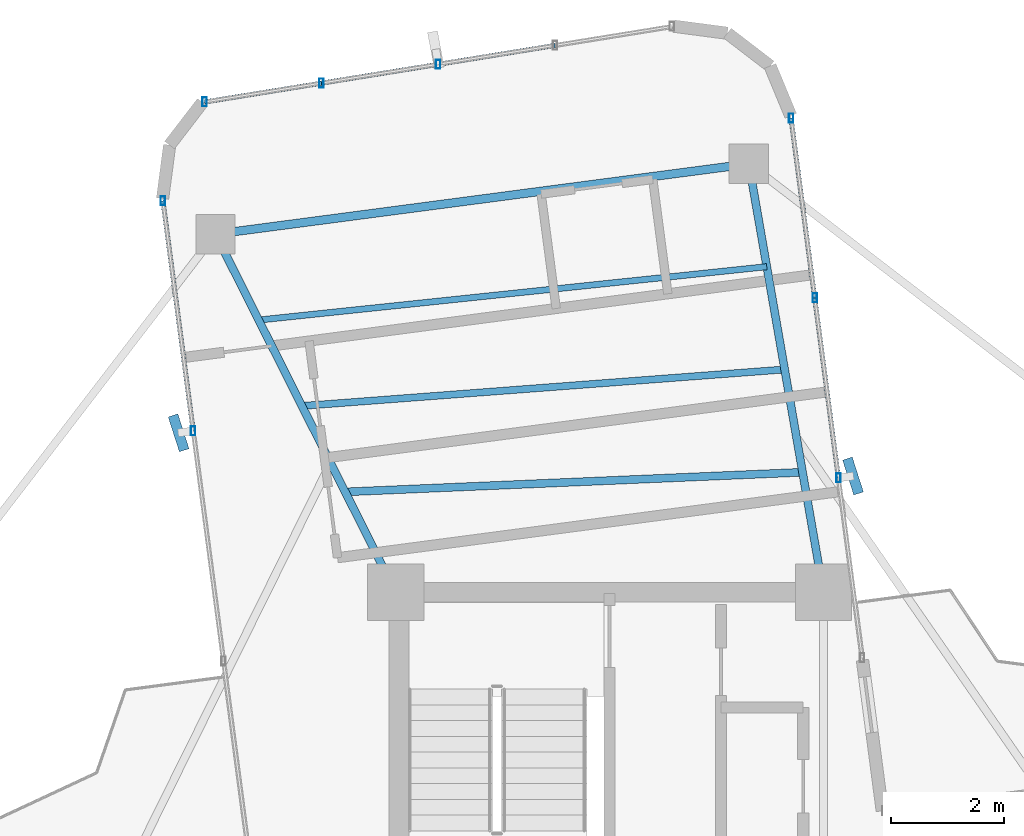
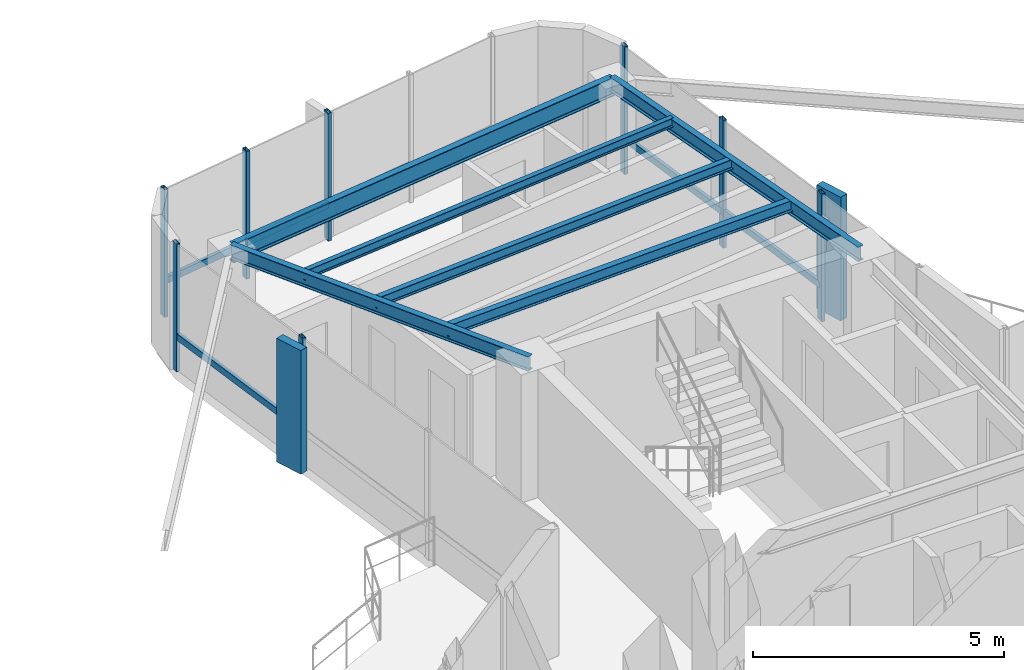
# One storey, part 14 of 22: 16 members, 6 beams, 3 elements without a shape of their own.
"""IFC4 building model written with IfcOpenShell, lengths in metres."""

from ifc_helpers import new_model, si_unit, direction, frame, origin, origin_2d, place, context, subcontext, project, spatial, rectangle, hollow_rectangle, i_section, extrude, source, transform, mapped, material, material_profile, profile_set, type_object, element, aggregate, save


model = new_model("IFC4")

# Units and contexts
model_context = context("Model", 3, precision=1e-05, world=origin(), true_north=direction((0.0, 1.0)))
body_context = subcontext(model_context, "Body", "Model", "MODEL_VIEW")
ifc_project = project(units=[si_unit("LENGTHUNIT", "METRE"), si_unit("AREAUNIT", "SQUARE_METRE"), si_unit("VOLUMEUNIT", "CUBIC_METRE"), si_unit("PLANEANGLEUNIT", "RADIAN"), si_unit("MASSUNIT", "GRAM", prefix="KILO")], contexts=[model_context])

# Site, building, storey
site_placement = place(None, origin())
site = spatial("IfcSite", under=ifc_project, at=site_placement, CompositionType="ELEMENT")
building_placement = place(site_placement, origin())
building = spatial("IfcBuilding", under=site, at=building_placement, Name="Sahyath Konkavel Grand Hotel", CompositionType="ELEMENT")
storey_placement = place(building_placement, frame((0.0, 0.0, 234.449951171875)))
storey = spatial("IfcBuildingStorey", under=building, at=storey_placement, Name="L65", CompositionType="ELEMENT", Elevation=234.449951171875)

# Beams
ifc_material_1 = material(Name="Steel E350", Category="steel")
ifc_material_profile_1 = material_profile(ifc_material_1, i_section(OverallWidth=0.139892578125, OverallDepth=0.35009765625, WebThickness=0.008056640625, FlangeThickness=0.01416015625, FilletRadius=0.013916015625, at=origin_2d()), Name="ISMB 350")
ifc_profile_set_1 = profile_set([ifc_material_profile_1], Name="Steel E350")
beam_type_1 = type_object("IfcBeamType", Name="BM-ISMB350", PredefinedType="BEAM", material=ifc_profile_set_1)
shared_shape_1 = source(origin(), body_context, "Body", "SweptSolid", [
    extrude(i_section(OverallWidth=0.139892578125, OverallDepth=0.35009765625, WebThickness=0.008056640625, FlangeThickness=0.01416015625, FilletRadius=0.013916015625, at=origin_2d()), origin(), (0.0, 0.0, 1.0), 7.72314453125),
])
beam_1_placement = place(storey_placement, frame((3.800048828125, 10.199951171875, 2.93505859375), z_axis=(-0.171494591926, 0.985185061265, 0.0), x_axis=(-0.985185061265, -0.171494591926, 0.0)))
element("IfcBeam", 1, at=beam_1_placement, inside=storey, type_object=beam_type_1, Name="L65 Cruciform Radial Girder NA", PredefinedType="BEAM", context=body_context, shape_type="MappedRepresentation", body=[
    mapped(shared_shape_1, transform((0.0, 0.0, 0.0), scale=1.0)),
])
shared_shape_2 = source(origin(), body_context, "Body", "SweptSolid", [
    extrude(i_section(OverallWidth=0.139892578125, OverallDepth=0.35009765625, WebThickness=0.008056640625, FlangeThickness=0.01416015625, FilletRadius=0.013916015625, at=origin_2d()), origin(), (0.0, 0.0, 1.0), 7.12060546875),
])
beam_2_placement = place(storey_placement, frame((-3.800048828125, 10.199951171875, 2.93505859375), z_axis=(-0.449461374128, 0.893299766689, 0.0), x_axis=(-0.893299766689, -0.449461374128, 0.0)))
element("IfcBeam", 2, at=beam_2_placement, inside=storey, type_object=beam_type_1, Name="L65 Cruciform Radial Girder NB", PredefinedType="BEAM", context=body_context, shape_type="MappedRepresentation", body=[
    mapped(shared_shape_2, transform((0.0, 0.0, 0.0), scale=1.0)),
])
ifc_material_profile_2 = material_profile(ifc_material_1, i_section(OverallWidth=0.14990234375, OverallDepth=0.449951171875, WebThickness=0.009521484375, FlangeThickness=0.017333984375, FilletRadius=0.014892578125, at=origin_2d()), Name="ISMB 450")
ifc_profile_set_2 = profile_set([ifc_material_profile_2], Name="Steel E350")
beam_type_2 = type_object("IfcBeamType", Name="BM-ISMB450", PredefinedType="BEAM", material=ifc_profile_set_2)
shared_shape_3 = source(origin(), body_context, "Body", "SweptSolid", [
    extrude(i_section(OverallWidth=0.14990234375, OverallDepth=0.449951171875, WebThickness=0.009521484375, FlangeThickness=0.017333984375, FilletRadius=0.014892578125, at=origin_2d()), origin(), (0.0, 0.0, 1.0), 9.557861328125),
])
beam_3_placement = place(storey_placement, frame((2.4755859375, 17.80859375, 2.885009765625), z_axis=(-0.991441423385, -0.130552303677, 0.0), x_axis=(0.130552303677, -0.991441423385, 0.0)))
element("IfcBeam", 3, at=beam_3_placement, inside=storey, type_object=beam_type_2, Name="L65 Wing Tip Edge Beam N", PredefinedType="BEAM", context=body_context, shape_type="MappedRepresentation", body=[
    mapped(shared_shape_3, transform((0.0, 0.0, 0.0), scale=1.0)),
])
ifc_material_profile_3 = material_profile(ifc_material_1, i_section(OverallWidth=0.139892578125, OverallDepth=0.27490234375, WebThickness=0.00634765625, FlangeThickness=0.0087890625, FilletRadius=0.012939453125, at=origin_2d()), Name="ISLB 275")
ifc_profile_set_3 = profile_set([ifc_material_profile_3], Name="Steel E350")
beam_type_3 = type_object("IfcBeamType", Name="BM-ISLB275", PredefinedType="BEAM", material=ifc_profile_set_3)
shared_shape_4 = source(origin(), body_context, "Body", "SweptSolid", [
    extrude(i_section(OverallWidth=0.139892578125, OverallDepth=0.27490234375, WebThickness=0.00634765625, FlangeThickness=0.0087890625, FilletRadius=0.012939453125, at=origin_2d()), origin(), (0.0, 0.0, 1.0), 8.1328125),
])
beam_4_placement = place(storey_placement, frame((3.42919921875, 12.330322265625, 2.97265625), z_axis=(-0.999078174948, -0.04292785043, 0.0), x_axis=(0.04292785043, -0.999078174948, 0.0)))
element("IfcBeam", 4, at=beam_4_placement, inside=storey, type_object=beam_type_3, Name="L65 Secondary Floor Beam N-1", PredefinedType="BEAM", context=body_context, shape_type="MappedRepresentation", body=[
    mapped(shared_shape_4, transform((0.0, 0.0, 0.0), scale=1.0)),
])
ifc_material_profile_4 = material_profile(ifc_material_1, i_section(OverallWidth=0.125, OverallDepth=0.25, WebThickness=0.0068359375, FlangeThickness=0.012451171875, FilletRadius=0.012939453125, at=origin_2d()), Name="ISMB 250")
ifc_profile_set_4 = profile_set([ifc_material_profile_4], Name="Steel E350")
beam_type_4 = type_object("IfcBeamType", Name="BM-ISMB250", PredefinedType="BEAM", material=ifc_profile_set_4)
shared_shape_5 = source(origin(), body_context, "Body", "SweptSolid", [
    extrude(i_section(OverallWidth=0.125, OverallDepth=0.25, WebThickness=0.0068359375, FlangeThickness=0.012451171875, FilletRadius=0.012939453125, at=origin_2d()), origin(), (0.0, 0.0, 1.0), 8.60009765625),
])
beam_5_placement = place(storey_placement, frame((3.111328125, 14.156494140625, 2.985107421875), z_axis=(-0.997151364324, -0.075426498178, 0.0), x_axis=(0.075426498178, -0.997151364324, 0.0)))
element("IfcBeam", 5, at=beam_5_placement, inside=storey, type_object=beam_type_4, Name="L65 Secondary Floor Beam N-2", PredefinedType="BEAM", context=body_context, shape_type="MappedRepresentation", body=[
    mapped(shared_shape_5, transform((0.0, 0.0, 0.0), scale=1.0)),
])
ifc_material_profile_5 = material_profile(ifc_material_1, i_section(OverallWidth=0.110107421875, OverallDepth=0.22509765625, WebThickness=0.006591796875, FlangeThickness=0.01171875, FilletRadius=0.011962890625, at=origin_2d()), Name="ISMB 225")
ifc_profile_set_5 = profile_set([ifc_material_profile_5], Name="Steel E350")
beam_type_5 = type_object("IfcBeamType", Name="BM-ISMB225", PredefinedType="BEAM", material=ifc_profile_set_5)
shared_shape_6 = source(origin(), body_context, "Body", "SweptSolid", [
    extrude(i_section(OverallWidth=0.110107421875, OverallDepth=0.22509765625, WebThickness=0.006591796875, FlangeThickness=0.01171875, FilletRadius=0.011962890625, at=origin_2d()), origin(), (0.0, 0.0, 1.0), 9.075439453125),
])
beam_6_placement = place(storey_placement, frame((2.79345703125, 15.982421875, 2.99755859375), z_axis=(-0.994526658402, -0.10448313609, 0.0), x_axis=(0.10448313609, -0.994526658402, 0.0)))
element("IfcBeam", 6, at=beam_6_placement, inside=storey, type_object=beam_type_5, Name="L65 Secondary Floor Beam N-3", PredefinedType="BEAM", context=body_context, shape_type="MappedRepresentation", body=[
    mapped(shared_shape_6, transform((0.0, 0.0, 0.0), scale=1.0)),
])

# Curtain wall, member
ifc_material_2 = material(Name="Anodised Bronze Aluminium & Low-E Glazing", Category="aluminium")
curtain_wall_type = type_object("IfcCurtainWallType", Name="CW-ZONE4", PredefinedType="NOTDEFINED", material=ifc_material_2)
curtain_wall_1_placement = place(storey_placement, origin())
curtain_wall_1 = element("IfcCurtainWall", 7, at=curtain_wall_1_placement, inside=storey, type_object=curtain_wall_type, Name="L65 Unitised Curtain Wall F8", PredefinedType="NOTDEFINED")
ifc_material_3 = material(Name="Warm Buff Sandstone Cladding on Concrete C50/60", Category="masonry")
ifc_material_profile_6 = material_profile(ifc_material_3, rectangle(XDim=0.179931640625, YDim=0.64990234375, at=origin_2d()), Name="FIN 180x650")
ifc_profile_set_6 = profile_set([ifc_material_profile_6], Name="Warm Buff Sandstone Cladding on Concrete C50/60")
member_type_1 = type_object("IfcMemberType", Name="FIN-SANDSTONE-650", PredefinedType="MULLION", material=ifc_profile_set_6)
shared_shape_7 = source(origin(), body_context, "Body", "SweptSolid", [
    extrude(rectangle(XDim=0.179931640625, YDim=0.64990234375, at=origin_2d()), origin(), (0.0, 0.0, 1.0), 3.010009765625),
])
member_1_placement = place(storey_placement, frame((4.325439453125, 12.26318359375, 0.050048828125), z_axis=(0.0, 0.0, 1.0), x_axis=(0.952236042525, 0.30536293049, 0.0)))
member_1 = element("IfcMember", 8, at=member_1_placement, type_object=member_type_1, Name="L65 Sandstone Vertical Solar Fin FIN F8-1", PredefinedType="MULLION", context=body_context, shape_type="MappedRepresentation", body=[
    mapped(shared_shape_7, transform((0.0, 0.0, 0.0), scale=1.0)),
])

curtain_wall_2_placement = place(storey_placement, origin())
curtain_wall_2 = element("IfcCurtainWall", 9, at=curtain_wall_2_placement, inside=storey, type_object=curtain_wall_type, Name="L65 Unitised Curtain Wall F15", PredefinedType="NOTDEFINED")
member_2_placement = place(storey_placement, frame((-7.6552734375, 13.030517578125, 0.050048828125), z_axis=(0.0, 0.0, 1.0), x_axis=(0.952236042525, 0.30536293049, 0.0)))
member_2 = element("IfcMember", 10, at=member_2_placement, type_object=member_type_1, Name="L65 Sandstone Vertical Solar Fin FIN F15-1", PredefinedType="MULLION", context=body_context, shape_type="MappedRepresentation", body=[
    mapped(shared_shape_7, transform((0.0, 0.0, 0.0), scale=1.0)),
])

# Member
ifc_material_4 = material(Name="Anodised Bronze Aluminium", Category="aluminium")
ifc_material_profile_7 = material_profile(ifc_material_4, hollow_rectangle(XDim=0.080078125, YDim=0.159912109375, WallThickness=0.006103515625, at=origin_2d()), Name="RHS 160x80x6")
ifc_profile_set_7 = profile_set([ifc_material_profile_7], Name="Anodised Bronze Aluminium")
member_type_2 = type_object("IfcMemberType", Name="CW-MUL-160", PredefinedType="MULLION", material=ifc_profile_set_7)
shared_shape_8 = source(origin(), body_context, "Body", "SweptSolid", [
    extrude(hollow_rectangle(XDim=0.080078125, YDim=0.159912109375, WallThickness=0.006103515625, at=origin_2d()), origin(), (0.0, 0.0, 1.0), 3.110107421875),
])
member_3_placement = place(storey_placement, frame((4.067626953125, 12.229248046875, 0.0), z_axis=(0.0, 0.0, 1.0), x_axis=(1.0, 0.0, 0.0)))
member_3 = element("IfcMember", 11, at=member_3_placement, type_object=member_type_2, Name="L65 Curtain Wall Mullion F8-1", PredefinedType="MULLION", context=body_context, shape_type="MappedRepresentation", body=[
    mapped(shared_shape_8, transform((0.0, 0.0, 0.0), scale=1.0)),
])

member_4_placement = place(storey_placement, frame((3.646484375, 15.42626953125, 0.0), z_axis=(0.0, 0.0, 1.0), x_axis=(1.0, 0.0, 0.0)))
member_4 = element("IfcMember", 12, at=member_4_placement, type_object=member_type_2, Name="L65 Curtain Wall Mullion F8-2", PredefinedType="MULLION", context=body_context, shape_type="MappedRepresentation", body=[
    mapped(shared_shape_8, transform((0.0, 0.0, 0.0), scale=1.0)),
])

member_5_placement = place(storey_placement, frame((3.2255859375, 18.623291015625, 0.0), z_axis=(0.0, 0.0, 1.0), x_axis=(1.0, 0.0, 0.0)))
member_5 = element("IfcMember", 13, at=member_5_placement, type_object=member_type_2, Name="L65 Curtain Wall Mullion F8-3", PredefinedType="MULLION", context=body_context, shape_type="MappedRepresentation", body=[
    mapped(shared_shape_8, transform((0.0, 0.0, 0.0), scale=1.0)),
])

# Curtain wall, members
curtain_wall_3_placement = place(storey_placement, origin())
curtain_wall_3 = element("IfcCurtainWall", 14, at=curtain_wall_3_placement, inside=storey, type_object=curtain_wall_type, Name="L65 Unitised Curtain Wall F12", PredefinedType="NOTDEFINED")
member_6_placement = place(storey_placement, frame((-3.044189453125, 19.5791015625, 0.0), z_axis=(0.0, 0.0, 1.0), x_axis=(1.0, 0.0, 0.0)))
member_6 = element("IfcMember", 15, at=member_6_placement, type_object=member_type_2, Name="L65 Curtain Wall Mullion F12-2", PredefinedType="MULLION", context=body_context, shape_type="MappedRepresentation", body=[
    mapped(shared_shape_8, transform((0.0, 0.0, 0.0), scale=1.0)),
])
member_7_placement = place(storey_placement, frame((-5.118896484375, 19.244140625, 0.0), z_axis=(0.0, 0.0, 1.0), x_axis=(1.0, 0.0, 0.0)))
member_7 = element("IfcMember", 16, at=member_7_placement, type_object=member_type_2, Name="L65 Curtain Wall Mullion F12-3", PredefinedType="MULLION", context=body_context, shape_type="MappedRepresentation", body=[
    mapped(shared_shape_8, transform((0.0, 0.0, 0.0), scale=1.0)),
])
member_8_placement = place(storey_placement, frame((-7.193603515625, 18.9091796875, 0.0), z_axis=(0.0, 0.0, 1.0), x_axis=(1.0, 0.0, 0.0)))
member_8 = element("IfcMember", 17, at=member_8_placement, type_object=member_type_2, Name="L65 Curtain Wall Mullion F12-4", PredefinedType="MULLION", context=body_context, shape_type="MappedRepresentation", body=[
    mapped(shared_shape_8, transform((0.0, 0.0, 0.0), scale=1.0)),
])

# Member
member_9_placement = place(storey_placement, frame((-7.935791015625, 17.15380859375, 0.0), z_axis=(0.0, 0.0, 1.0), x_axis=(1.0, 0.0, 0.0)))
member_9 = element("IfcMember", 18, at=member_9_placement, type_object=member_type_2, Name="L65 Curtain Wall Mullion F15-0", PredefinedType="MULLION", context=body_context, shape_type="MappedRepresentation", body=[
    mapped(shared_shape_8, transform((0.0, 0.0, 0.0), scale=1.0)),
])

member_10_placement = place(storey_placement, frame((-7.3974609375, 13.064453125, 0.0), z_axis=(0.0, 0.0, 1.0), x_axis=(1.0, 0.0, 0.0)))
member_10 = element("IfcMember", 19, at=member_10_placement, type_object=member_type_2, Name="L65 Curtain Wall Mullion F15-1", PredefinedType="MULLION", context=body_context, shape_type="MappedRepresentation", body=[
    mapped(shared_shape_8, transform((0.0, 0.0, 0.0), scale=1.0)),
])

ifc_material_profile_8 = material_profile(ifc_material_4, hollow_rectangle(XDim=0.080078125, YDim=0.159912109375, WallThickness=0.006103515625, at=origin_2d()), Name="RHS 160x80x6")
ifc_profile_set_8 = profile_set([ifc_material_profile_8], Name="Anodised Bronze Aluminium")
member_type_3 = type_object("IfcMemberType", Name="CW-TRN-160", PredefinedType="USERDEFINED", material=ifc_profile_set_8)
shared_shape_9 = source(origin(), body_context, "Body", "SweptSolid", [
    extrude(hollow_rectangle(XDim=0.080078125, YDim=0.159912109375, WallThickness=0.006103515625, at=origin_2d()), origin(), (0.0, 0.0, 1.0), 3.224609375),
])
member_11_placement = place(storey_placement, frame((4.067626953125, 12.229248046875, 0.85009765625), z_axis=(-0.130601397608, 0.991434957495, 0.0), x_axis=(-0.991434957495, -0.130601397608, 0.0)))
member_11 = element("IfcMember", 20, at=member_11_placement, type_object=member_type_3, Name="L65 Curtain Wall Transom F8-1-spandrel", ObjectType="TRANSOM", PredefinedType="USERDEFINED", context=body_context, shape_type="MappedRepresentation", body=[
    mapped(shared_shape_9, transform((0.0, 0.0, 0.0), scale=1.0)),
])

member_12_placement = place(storey_placement, frame((3.646484375, 15.42626953125, 0.85009765625), z_axis=(-0.13052697693, 0.991444758064, 0.0), x_axis=(-0.991444758064, -0.13052697693, 0.0)))
member_12 = element("IfcMember", 21, at=member_12_placement, type_object=member_type_3, Name="L65 Curtain Wall Transom F8-2-spandrel", ObjectType="TRANSOM", PredefinedType="USERDEFINED", context=body_context, shape_type="MappedRepresentation", body=[
    mapped(shared_shape_9, transform((0.0, 0.0, 0.0), scale=1.0)),
])

aggregate(curtain_wall_1, [member_3, member_1, member_4, member_5, member_11, member_12])

shared_shape_10 = source(origin(), body_context, "Body", "SweptSolid", [
    extrude(hollow_rectangle(XDim=0.080078125, YDim=0.159912109375, WallThickness=0.006103515625, at=origin_2d()), origin(), (0.0, 0.0, 1.0), 2.1015625),
])
member_13_placement = place(storey_placement, frame((-0.969482421875, 19.914306640625, 0.85009765625), z_axis=(-0.987198081237, -0.159499054547, 0.0), x_axis=(0.159499054547, -0.987198081237, 0.0)))
member_13 = element("IfcMember", 22, at=member_13_placement, type_object=member_type_3, Name="L65 Curtain Wall Transom F12-1-spandrel", ObjectType="TRANSOM", PredefinedType="USERDEFINED", context=body_context, shape_type="MappedRepresentation", body=[
    mapped(shared_shape_10, transform((0.0, 0.0, 0.0), scale=1.0)),
])

member_14_placement = place(storey_placement, frame((-3.044189453125, 19.5791015625, 0.85009765625), z_axis=(-0.987216366612, -0.159385838432, 0.0), x_axis=(0.159385838432, -0.987216366612, 0.0)))
member_14 = element("IfcMember", 23, at=member_14_placement, type_object=member_type_3, Name="L65 Curtain Wall Transom F12-2-spandrel", ObjectType="TRANSOM", PredefinedType="USERDEFINED", context=body_context, shape_type="MappedRepresentation", body=[
    mapped(shared_shape_10, transform((0.0, 0.0, 0.0), scale=1.0)),
])

member_15_placement = place(storey_placement, frame((-5.118896484375, 19.244140625, 0.85009765625), z_axis=(-0.987216366612, -0.159385838432, 0.0), x_axis=(0.159385838432, -0.987216366612, 0.0)))
member_15 = element("IfcMember", 24, at=member_15_placement, type_object=member_type_3, Name="L65 Curtain Wall Transom F12-3-spandrel", ObjectType="TRANSOM", PredefinedType="USERDEFINED", context=body_context, shape_type="MappedRepresentation", body=[
    mapped(shared_shape_10, transform((0.0, 0.0, 0.0), scale=1.0)),
])

aggregate(curtain_wall_3, [member_6, member_7, member_8, member_13, member_14, member_15])

shared_shape_11 = source(origin(), body_context, "Body", "SweptSolid", [
    extrude(hollow_rectangle(XDim=0.080078125, YDim=0.159912109375, WallThickness=0.006103515625, at=origin_2d()), origin(), (0.0, 0.0, 1.0), 4.124755859375),
])
member_16_placement = place(storey_placement, frame((-7.935791015625, 17.15380859375, 0.85009765625), z_axis=(0.130515758099, -0.991446234996, 0.0), x_axis=(0.991446234996, 0.130515758099, 0.0)))
member_16 = element("IfcMember", 25, at=member_16_placement, type_object=member_type_3, Name="L65 Curtain Wall Transom F15-0-spandrel", ObjectType="TRANSOM", PredefinedType="USERDEFINED", context=body_context, shape_type="MappedRepresentation", body=[
    mapped(shared_shape_11, transform((0.0, 0.0, 0.0), scale=1.0)),
])

aggregate(curtain_wall_2, [member_9, member_10, member_2, member_16])

save(model, "model.ifc")
